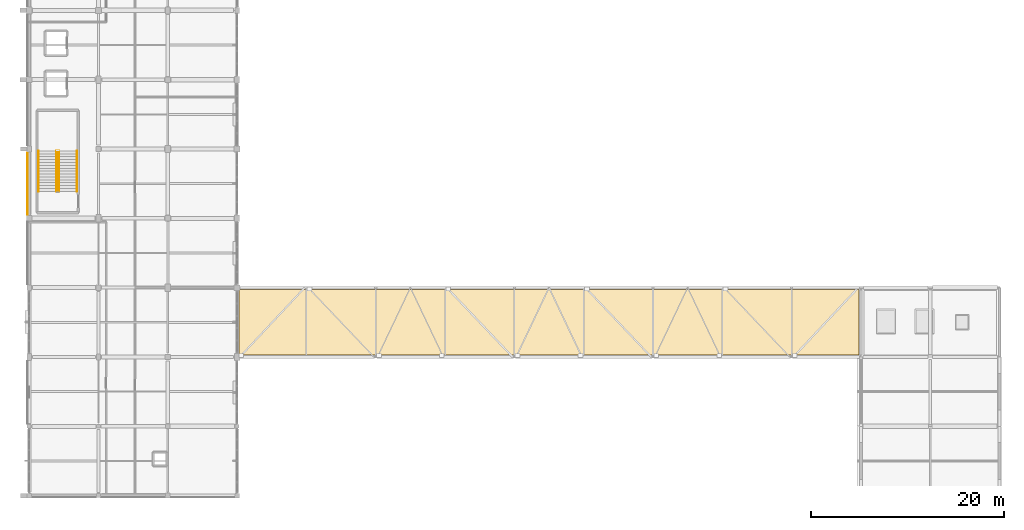
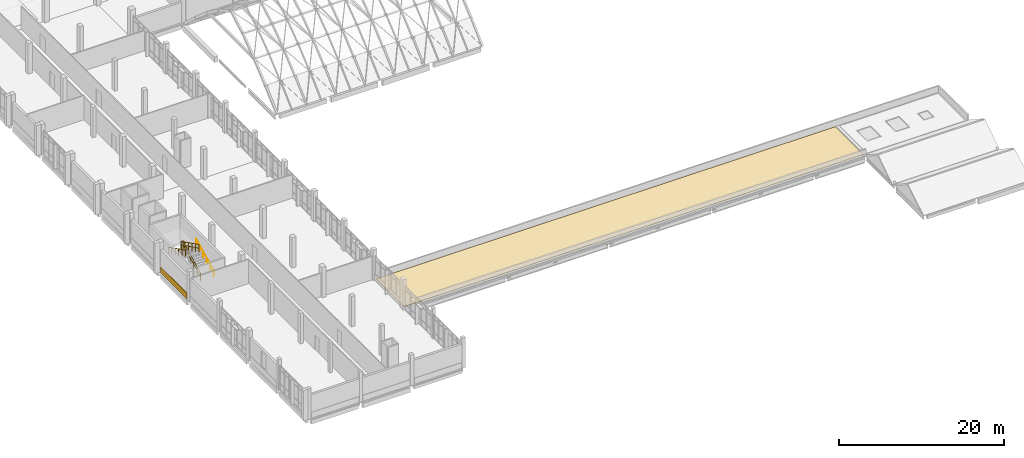
# One storey, part 81 of 87: 4 railings, 2 coverings.
"""IFC4 building model written with IfcOpenShell, lengths in metres."""

import ifcopenshell
import ifcopenshell.guid

model = None  # the IFC model being written
_history = None  # IfcOwnerHistory: only IFC2X3 demands one
_inside = {}  # id of a spatial element -> (the spatial element, [elements in it])
_under = {}  # id of a project, library or spatial element -> (it, [spatial elements below it])
_declared = {}  # id of a project -> (the project, [libraries it declares])
_typed = {}  # id of a type object -> (the type object, [elements of that type])
_made_of = {}  # id of a material, layer set ... -> (it, [elements and type objects made of it])


def new_model(schema):
    """Start an empty IFC model of exactly this schema.

    Asked for "IFC4X3", IfcOpenShell would pick the latest addendum, in which some entities
    have other attributes; the version numbers below select the first issue.
    IFC2X3 requires an IfcOwnerHistory on every rooted entity: one is made here for all.
    """
    global model, _history
    if schema == "IFC4X3":
        model = ifcopenshell.file(schema_version=(4, 3, 0, 0))
    else:
        model = ifcopenshell.file(schema=schema)
    _inside.clear()
    _under.clear()
    _declared.clear()
    _typed.clear()
    _made_of.clear()
    _history = None
    if model.schema == "IFC2X3":
        org = make("IfcOrganization", Name="unknown")
        user = make(
            "IfcPersonAndOrganization",
            ThePerson=make("IfcPerson", FamilyName="unknown"),
            TheOrganization=org,
        )
        app = make(
            "IfcApplication",
            ApplicationDeveloper=org,
            Version="unknown",
            ApplicationFullName="unknown",
            ApplicationIdentifier="unknown",
        )
        _history = make(
            "IfcOwnerHistory",
            OwningUser=user,
            OwningApplication=app,
            ChangeAction="ADDED",
            CreationDate=0,
        )
    return model


def make(cls, **values):
    """One entity of the class cls with the attributes given. An attribute that is None is left unset."""
    return model.create_entity(
        cls, **{name: value for name, value in values.items() if value is not None}
    )


def rooted(cls, **values):
    """An entity with a GlobalId (a new one), such as an element, a storey or a relation."""
    return make(cls, GlobalId=ifcopenshell.guid.new(), OwnerHistory=_history, **values)


def si_unit(unit_type, name, prefix=None):
    """IfcSIUnit, for example si_unit("LENGTHUNIT", "METRE", prefix="MILLI")."""
    return make("IfcSIUnit", UnitType=unit_type, Prefix=prefix, Name=name)


def assignment(units):
    """IfcUnitAssignment: the units of a project."""
    return None if units is None else make("IfcUnitAssignment", Units=units)


def point(xyz):
    """IfcCartesianPoint."""
    return None if xyz is None else make("IfcCartesianPoint", Coordinates=xyz)


def direction(xyz):
    """IfcDirection."""
    return None if xyz is None else make("IfcDirection", DirectionRatios=xyz)


def frame(location, z_axis=None, x_axis=None):
    """IfcAxis2Placement3D, a coordinate frame: its origin and axes. An axis left out is left unset."""
    return make(
        "IfcAxis2Placement3D",
        Location=point(location),
        Axis=direction(z_axis),
        RefDirection=direction(x_axis),
    )


def frame_2d(location, x_axis=None):
    """IfcAxis2Placement2D, a coordinate frame in the plane: its origin and x axis."""
    return make(
        "IfcAxis2Placement2D", Location=point(location), RefDirection=direction(x_axis)
    )


def origin():
    """The frame at (0, 0, 0) with its axes left unset."""
    return frame((0.0, 0.0, 0.0))


def origin_2d():
    """The frame at (0, 0) in the plane with its x axis left unset."""
    return frame_2d((0.0, 0.0))


def place(relative_to, where):
    """IfcLocalPlacement: puts the frame where relative to a parent placement (None: the world)."""
    return make(
        "IfcLocalPlacement", PlacementRelTo=relative_to, RelativePlacement=where
    )


def context(
    kind, dimensions, precision=None, world=None, true_north=None, identifier=None
):
    """IfcGeometricRepresentationContext, for example the 3D "Model" context."""
    return make(
        "IfcGeometricRepresentationContext",
        ContextIdentifier=identifier,
        ContextType=kind,
        CoordinateSpaceDimension=dimensions,
        Precision=precision,
        WorldCoordinateSystem=world,
        TrueNorth=true_north,
    )


def subcontext(parent, identifier, kind, view, scale=None):
    """IfcGeometricRepresentationSubContext, for example "Body" below "Model"."""
    return make(
        "IfcGeometricRepresentationSubContext",
        ContextIdentifier=identifier,
        ContextType=kind,
        ParentContext=parent,
        TargetScale=scale,
        TargetView=view,
    )


def project(units=None, contexts=None):
    """IfcProject with its units and contexts."""
    return rooted(
        "IfcProject",
        Name="project",
        RepresentationContexts=contexts,
        UnitsInContext=assignment(units),
    )


def spatial(cls, under=None, at=None, **own):
    """A site, building, storey or space (cls), placed at a placement, below another one or the project."""
    s = rooted(cls, ObjectPlacement=at, **own)
    if under is not None:
        _under.setdefault(under.id(), (under, []))[1].append(s)
    return s


def polyline(points):
    """IfcPolyline through the points."""
    return make("IfcPolyline", Points=[point(p) for p in points])


def profile(cls, at=None, kind="AREA", **sizes):
    """A parametric profile (cls). Its sizes go by their IFC names, for example OverallWidth=200.0."""
    return make(cls, ProfileType=kind, Position=at, **sizes)


def rectangle(**sizes):
    """IfcRectangleProfileDef."""
    return profile("IfcRectangleProfileDef", **sizes)


def circle(**sizes):
    """IfcCircleProfileDef."""
    return profile("IfcCircleProfileDef", **sizes)


def outline(outer, holes=None, kind="AREA"):
    """IfcArbitraryClosedProfileDef: a profile drawn as a closed curve; with holes, ...WithVoids."""
    if holes is None:
        return make("IfcArbitraryClosedProfileDef", ProfileType=kind, OuterCurve=outer)
    return make(
        "IfcArbitraryProfileDefWithVoids",
        ProfileType=kind,
        OuterCurve=outer,
        InnerCurves=holes,
    )


def extrude(swept, where, along, depth):
    """IfcExtrudedAreaSolid: the profile swept, set in the frame where, extruded along a direction by depth."""
    return make(
        "IfcExtrudedAreaSolid",
        SweptArea=swept,
        Position=where,
        ExtrudedDirection=direction(along),
        Depth=depth,
    )


def shape(context_of_items, identifier, shape_type, items):
    """IfcShapeRepresentation: the items that make up one representation, for example the "Body"."""
    return make(
        "IfcShapeRepresentation",
        ContextOfItems=context_of_items,
        RepresentationIdentifier=identifier,
        RepresentationType=shape_type,
        Items=items,
    )


def material(Name=None, Category=None):
    """IfcMaterial."""
    return make("IfcMaterial", Name=Name, Category=Category)


def layer(
    of_material, thickness, ventilated=None, Name=None, Category=None, Priority=None
):
    """IfcMaterialLayer: one layer of a wall or slab, of a material (None: an air gap)."""
    return make(
        "IfcMaterialLayer",
        Material=of_material,
        LayerThickness=thickness,
        IsVentilated=ventilated,
        Name=Name,
        Category=Category,
        Priority=Priority,
    )


def layer_set(layers, Name=None):
    """IfcMaterialLayerSet."""
    return make("IfcMaterialLayerSet", MaterialLayers=layers, LayerSetName=Name)


def made_of(thing, what):
    """Note that an element or type object is made of a material, layer set ...; save() writes the relation."""
    if what is not None:
        _made_of.setdefault(what.id(), (what, []))[1].append(thing)
    return thing


def type_object(cls, material=None, **own):
    """A type object (cls), such as IfcWallType, which elements share."""
    return made_of(rooted(cls, **own), material)


def element(
    cls,
    number,
    at=None,
    inside=None,
    cuts=None,
    type_object=None,
    material=None,
    context=None,
    identifier="Body",
    shape_type=None,
    held_by="IfcProductDefinitionShape",
    body=None,
    shapes=None,
    **own,
):
    """One element of the class cls, such as IfcWall. Its Tag is "e" and its number.

    at: its placement. inside: the storey or other place that contains it. cuts: it is an
    opening in that element (IfcRelVoidsElement). A single representation is given by context,
    identifier, shape_type and body (its items); several are given by shapes. held_by: the class
    of the entity that holds the representations. save() writes the other relations.
    """
    e = rooted(cls, Tag="e%d" % number, ObjectPlacement=at, **own)
    if body is not None:
        shapes = [shape(context, identifier, shape_type, body)]
    if shapes is not None:
        e.Representation = make(held_by, Representations=shapes)
    if inside is not None:
        _inside.setdefault(inside.id(), (inside, []))[1].append(e)
    if cuts is not None:
        rooted(
            "IfcRelVoidsElement", RelatingBuildingElement=cuts, RelatedOpeningElement=e
        )
    if type_object is not None:
        _typed.setdefault(type_object.id(), (type_object, []))[1].append(e)
    return made_of(e, material)


def aggregate(whole, parts):
    """IfcRelAggregates: a whole, such as a stair, and the parts it consists of."""
    return rooted("IfcRelAggregates", RelatingObject=whole, RelatedObjects=parts)


def save(model, path):
    """Write the relations noted so far, then the file.

    IfcRelAggregates (storeys below a building ...), IfcRelContainedInSpatialStructure (elements
    in a storey), IfcRelDefinesByType, IfcRelAssociatesMaterial and IfcRelDeclares: one each for
    every whole, place, type object, material and project.
    """
    for whole, parts in _under.values():
        aggregate(whole, parts)
    for where, things in _inside.values():
        rooted(
            "IfcRelContainedInSpatialStructure",
            RelatedElements=things,
            RelatingStructure=where,
        )
    for kind, things in _typed.values():
        rooted("IfcRelDefinesByType", RelatedObjects=things, RelatingType=kind)
    for what, things in _made_of.values():
        rooted("IfcRelAssociatesMaterial", RelatedObjects=things, RelatingMaterial=what)
    for by, libraries in _declared.values():
        rooted("IfcRelDeclares", RelatingContext=by, RelatedDefinitions=libraries)
    model.write(path)


model = new_model("IFC4")

# Units and contexts
model_context = context("Model", 3, precision=1e-05, world=origin(), true_north=direction((0.0, 1.0)))
body_context = subcontext(model_context, "Body", "Model", "MODEL_VIEW")
ifc_project = project(units=[si_unit("LENGTHUNIT", "METRE"), si_unit("AREAUNIT", "SQUARE_METRE"), si_unit("VOLUMEUNIT", "CUBIC_METRE"), si_unit("PLANEANGLEUNIT", "RADIAN"), si_unit("MASSUNIT", "GRAM", prefix="KILO")], contexts=[model_context])

# Site, building, storey
site_placement = place(None, origin())
site = spatial("IfcSite", under=ifc_project, at=site_placement, CompositionType="ELEMENT")
building_placement = place(site_placement, origin())
building = spatial("IfcBuilding", under=site, at=building_placement, Name="Kalluvel Institute of Natural Sciences", CompositionType="ELEMENT")
storey_placement = place(building_placement, frame((0.0, 0.0, 18.89990234375)))
storey = spatial("IfcBuildingStorey", under=building, at=storey_placement, Name="L04", CompositionType="ELEMENT", Elevation=18.89990234375)

# Coverings
ifc_material_1 = material(Name="Sadarahalli Grey Granite Ashlar Concrete M40", Category="masonry")
ifc_layer_1 = layer(ifc_material_1, 0.044921875)
ifc_layer_set_1 = layer_set([ifc_layer_1], Name="Sadarahalli Grey Granite Ashlar Concrete M40")
covering_type_1 = type_object("IfcCoveringType", Name="COV-CLAD-STONE", PredefinedType="CLADDING", material=ifc_layer_set_1)
covering_1_placement = place(storey_placement, frame((13.820068359375, 46.387451171875, 0.025146484375), z_axis=(0.0, 0.0, 1.0), x_axis=(0.0, 1.0, 0.0)))
element("IfcCovering", 1, at=covering_1_placement, inside=storey, type_object=covering_type_1, Name="L04 Sadarahalli granite plinth spandrel cladding 173", PredefinedType="CLADDING", context=body_context, shape_type="SweptSolid", body=[
    extrude(rectangle(XDim=6.465087890625, YDim=0.044921875, at=origin_2d()), origin(), (0.0, 0.0, 1.0), 0.85009765625),
])
ifc_material_2 = material(Name="SBS Polymer-Modified Bitumen Waterproofing", Category="bitumen")
ifc_layer_2 = layer(ifc_material_2, 0.06005859375)
ifc_layer_set_2 = layer_set([ifc_layer_2], Name="SBS Polymer-Modified Bitumen Waterproofing")
covering_type_2 = type_object("IfcCoveringType", Name="COV-ROOF-SBS", PredefinedType="ROOFING", material=ifc_layer_set_2)
covering_2_placement = place(storey_placement, origin())
element("IfcCovering", 2, at=covering_2_placement, inside=storey, type_object=covering_type_2, Name="L04 SBS roof waterproofing build-up RM-L04-BRG", PredefinedType="ROOFING", context=body_context, shape_type="SweptSolid", body=[
    extrude(outline(polyline([(35.800048828125, 28.60009765625), (100.199951171875, 28.60009765625), (100.199951171875, 35.39990234375), (35.800048828125, 35.39990234375), (35.800048828125, 28.60009765625)])), origin(), (0.0, 0.0, 1.0), 0.06005859375),
])

# Railings
ifc_material_3 = material(Name="Galvanized Fire-Rated Steel", Category="steel")
railing_type_1 = type_object("IfcRailingType", Name="RL-GD-STAIR", PredefinedType="BALUSTRADE", material=ifc_material_3)
railing_1_placement = place(storey_placement, frame((17.090087890625, 45.60009765625, 0.150146484375)))
element("IfcRailing", 3, at=railing_1_placement, inside=storey, type_object=railing_type_1, Name="L04 ST4 stair guard 1", PredefinedType="BALUSTRADE", context=body_context, shape_type="SweptSolid", body=[
    extrude(circle(Radius=0.02392578125, at=origin_2d()), frame((0.0, 0.0, 1.09619140625), z_axis=(0.0, 0.894437589381, 0.447192798132), x_axis=(-1.0, 0.0, 0.0)), (0.0, 0.0, 1.0), 4.695556640625),
    extrude(circle(Radius=0.02392578125, at=origin_2d()), frame((0.0, 0.0, 0.56005859375), z_axis=(0.0, 0.894437589381, 0.447192798132), x_axis=(-1.0, 0.0, 0.0)), (0.0, 0.0, 1.0), 4.695556640625),
    extrude(circle(Radius=0.02099609375, at=origin_2d()), origin(), (0.0, 0.0, 1.0), 1.072021484375),
    extrude(circle(Radius=0.02099609375, at=origin_2d()), frame((0.0, 0.840087890625, 0.419921875)), (0.0, 0.0, 1.0), 1.072021484375),
    extrude(circle(Radius=0.02099609375, at=origin_2d()), frame((0.0, 1.679931640625, 0.83984375)), (0.0, 0.0, 1.0), 1.072021484375),
    extrude(circle(Radius=0.02099609375, at=origin_2d()), frame((0.0, 2.52001953125, 1.260009765625)), (0.0, 0.0, 1.0), 1.072021484375),
    extrude(circle(Radius=0.02099609375, at=origin_2d()), frame((0.0, 3.35986328125, 1.679931640625)), (0.0, 0.0, 1.0), 1.072021484375),
    extrude(circle(Radius=0.02099609375, at=origin_2d()), frame((0.0, 4.199951171875, 2.099853515625)), (0.0, 0.0, 1.0), 1.072021484375),
])
railing_2_placement = place(storey_placement, frame((16.840087890625, 49.800048828125, 2.400146484375)))
element("IfcRailing", 4, at=railing_2_placement, inside=storey, type_object=railing_type_1, Name="L04 ST4 stair guard 3", PredefinedType="BALUSTRADE", context=body_context, shape_type="SweptSolid", body=[
    extrude(circle(Radius=0.02392578125, at=origin_2d()), frame((0.0, 0.0, 1.09619140625), z_axis=(0.0, -0.894437589381, 0.447192798132), x_axis=(1.0, 0.0, 0.0)), (0.0, 0.0, 1.0), 4.695556640625),
    extrude(circle(Radius=0.02392578125, at=origin_2d()), frame((0.0, 0.0, 0.56005859375), z_axis=(0.0, -0.894437589381, 0.447192798132), x_axis=(1.0, 0.0, 0.0)), (0.0, 0.0, 1.0), 4.695556640625),
    extrude(circle(Radius=0.02099609375, at=origin_2d()), origin(), (0.0, 0.0, 1.0), 1.072021484375),
    extrude(circle(Radius=0.02099609375, at=origin_2d()), frame((0.0, -0.840087890625, 0.419921875)), (0.0, 0.0, 1.0), 1.072021484375),
    extrude(circle(Radius=0.02099609375, at=origin_2d()), frame((0.0, -1.679931640625, 0.83984375)), (0.0, 0.0, 1.0), 1.072021484375),
    extrude(circle(Radius=0.02099609375, at=origin_2d()), frame((0.0, -2.52001953125, 1.260009765625)), (0.0, 0.0, 1.0), 1.072021484375),
    extrude(circle(Radius=0.02099609375, at=origin_2d()), frame((0.0, -3.35986328125, 1.679931640625)), (0.0, 0.0, 1.0), 1.072021484375),
    extrude(circle(Radius=0.02099609375, at=origin_2d()), frame((0.0, -4.199951171875, 2.099853515625)), (0.0, 0.0, 1.0), 1.072021484375),
])
railing_type_2 = type_object("IfcRailingType", Name="RL-HR-STAIR", PredefinedType="HANDRAIL", material=ifc_material_3)
railing_3_placement = place(storey_placement, frame((18.949951171875, 45.60009765625, 0.150146484375)))
element("IfcRailing", 5, at=railing_3_placement, inside=storey, type_object=railing_type_2, Name="L04 ST4 stair handrail 1", PredefinedType="HANDRAIL", context=body_context, shape_type="SweptSolid", body=[
    extrude(circle(Radius=0.02392578125, at=origin_2d()), frame((0.0, 0.0, 0.89599609375), z_axis=(0.0, 0.894437589381, 0.447192798132), x_axis=(-1.0, 0.0, 0.0)), (0.0, 0.0, 1.0), 4.695556640625),
    extrude(circle(Radius=0.02099609375, at=origin_2d()), origin(), (0.0, 0.0, 1.0), 0.871826171875),
    extrude(circle(Radius=0.02099609375, at=origin_2d()), frame((0.0, 0.840087890625, 0.419921875)), (0.0, 0.0, 1.0), 0.871826171875),
    extrude(circle(Radius=0.02099609375, at=origin_2d()), frame((0.0, 1.679931640625, 0.83984375)), (0.0, 0.0, 1.0), 0.871826171875),
    extrude(circle(Radius=0.02099609375, at=origin_2d()), frame((0.0, 2.52001953125, 1.260009765625)), (0.0, 0.0, 1.0), 0.871826171875),
    extrude(circle(Radius=0.02099609375, at=origin_2d()), frame((0.0, 3.35986328125, 1.679931640625)), (0.0, 0.0, 1.0), 0.871826171875),
    extrude(circle(Radius=0.02099609375, at=origin_2d()), frame((0.0, 4.199951171875, 2.099853515625)), (0.0, 0.0, 1.0), 0.871826171875),
])
railing_4_placement = place(storey_placement, frame((14.97998046875, 49.800048828125, 2.400146484375)))
element("IfcRailing", 6, at=railing_4_placement, inside=storey, type_object=railing_type_2, Name="L04 ST4 stair handrail 2", PredefinedType="HANDRAIL", context=body_context, shape_type="SweptSolid", body=[
    extrude(circle(Radius=0.02392578125, at=origin_2d()), frame((0.0, 0.0, 0.89599609375), z_axis=(0.0, -0.894437589381, 0.447192798132), x_axis=(1.0, 0.0, 0.0)), (0.0, 0.0, 1.0), 4.695556640625),
    extrude(circle(Radius=0.02099609375, at=origin_2d()), origin(), (0.0, 0.0, 1.0), 0.871826171875),
    extrude(circle(Radius=0.02099609375, at=origin_2d()), frame((0.0, -0.840087890625, 0.419921875)), (0.0, 0.0, 1.0), 0.871826171875),
    extrude(circle(Radius=0.02099609375, at=origin_2d()), frame((0.0, -1.679931640625, 0.83984375)), (0.0, 0.0, 1.0), 0.871826171875),
    extrude(circle(Radius=0.02099609375, at=origin_2d()), frame((0.0, -2.52001953125, 1.260009765625)), (0.0, 0.0, 1.0), 0.871826171875),
    extrude(circle(Radius=0.02099609375, at=origin_2d()), frame((0.0, -3.35986328125, 1.679931640625)), (0.0, 0.0, 1.0), 0.871826171875),
    extrude(circle(Radius=0.02099609375, at=origin_2d()), frame((0.0, -4.199951171875, 2.099853515625)), (0.0, 0.0, 1.0), 0.871826171875),
])

save(model, "model.ifc")
